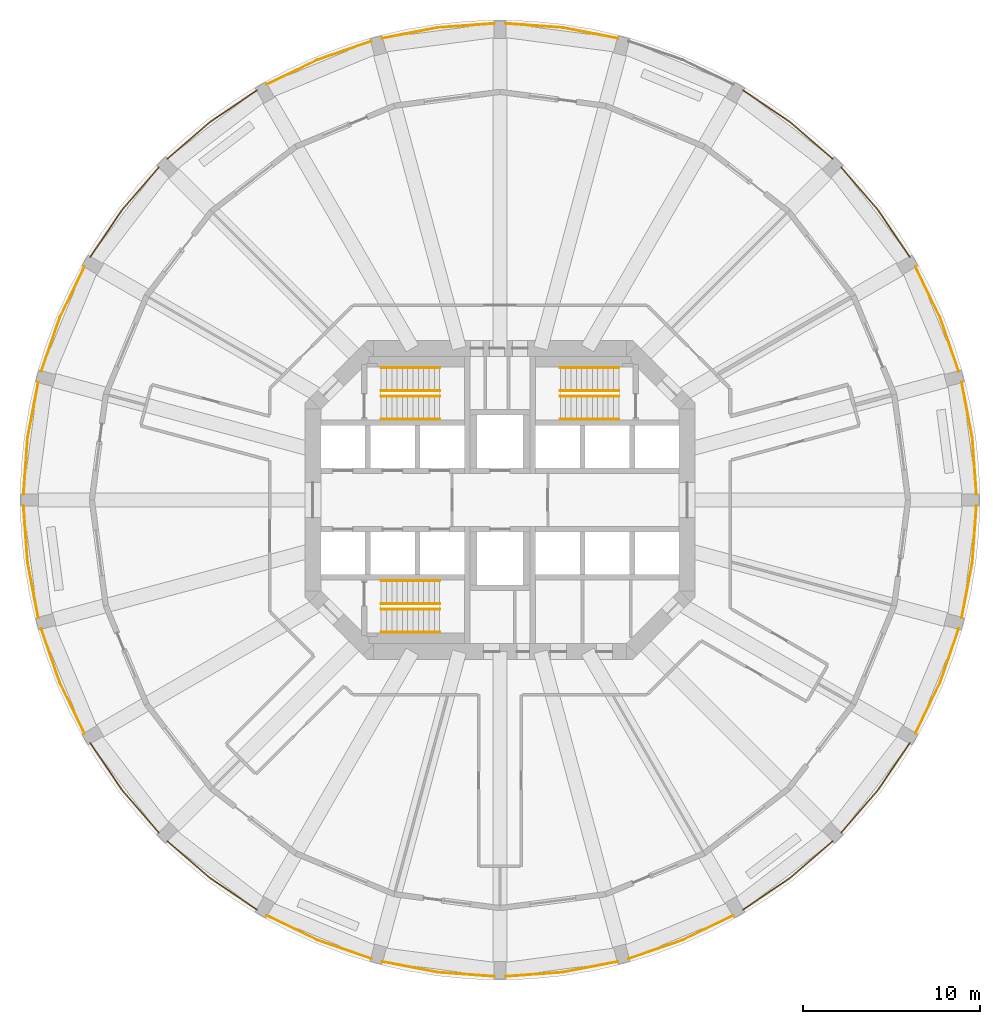
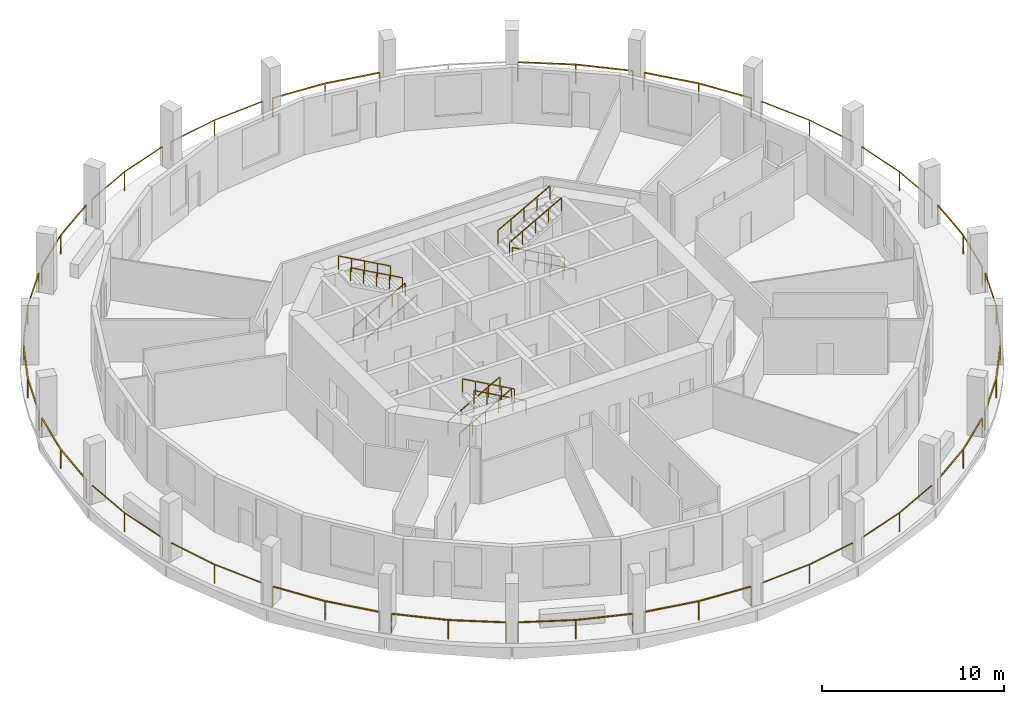
# One storey, part 8 of 9: 35 railings.
"""IFC4 building model written with IfcOpenShell, lengths in metres."""

import ifcopenshell
import ifcopenshell.guid

model = None  # the IFC model being written
_history = None  # IfcOwnerHistory: only IFC2X3 demands one
_inside = {}  # id of a spatial element -> (the spatial element, [elements in it])
_under = {}  # id of a project, library or spatial element -> (it, [spatial elements below it])
_declared = {}  # id of a project -> (the project, [libraries it declares])
_typed = {}  # id of a type object -> (the type object, [elements of that type])
_made_of = {}  # id of a material, layer set ... -> (it, [elements and type objects made of it])


def new_model(schema):
    """Start an empty IFC model of exactly this schema.

    Asked for "IFC4X3", IfcOpenShell would pick the latest addendum, in which some entities
    have other attributes; the version numbers below select the first issue.
    IFC2X3 requires an IfcOwnerHistory on every rooted entity: one is made here for all.
    """
    global model, _history
    if schema == "IFC4X3":
        model = ifcopenshell.file(schema_version=(4, 3, 0, 0))
    else:
        model = ifcopenshell.file(schema=schema)
    _inside.clear()
    _under.clear()
    _declared.clear()
    _typed.clear()
    _made_of.clear()
    _history = None
    if model.schema == "IFC2X3":
        org = make("IfcOrganization", Name="unknown")
        user = make(
            "IfcPersonAndOrganization",
            ThePerson=make("IfcPerson", FamilyName="unknown"),
            TheOrganization=org,
        )
        app = make(
            "IfcApplication",
            ApplicationDeveloper=org,
            Version="unknown",
            ApplicationFullName="unknown",
            ApplicationIdentifier="unknown",
        )
        _history = make(
            "IfcOwnerHistory",
            OwningUser=user,
            OwningApplication=app,
            ChangeAction="ADDED",
            CreationDate=0,
        )
    return model


def make(cls, **values):
    """One entity of the class cls with the attributes given. An attribute that is None is left unset."""
    return model.create_entity(
        cls, **{name: value for name, value in values.items() if value is not None}
    )


def rooted(cls, **values):
    """An entity with a GlobalId (a new one), such as an element, a storey or a relation."""
    return make(cls, GlobalId=ifcopenshell.guid.new(), OwnerHistory=_history, **values)


def si_unit(unit_type, name, prefix=None):
    """IfcSIUnit, for example si_unit("LENGTHUNIT", "METRE", prefix="MILLI")."""
    return make("IfcSIUnit", UnitType=unit_type, Prefix=prefix, Name=name)


def assignment(units):
    """IfcUnitAssignment: the units of a project."""
    return None if units is None else make("IfcUnitAssignment", Units=units)


def point(xyz):
    """IfcCartesianPoint."""
    return None if xyz is None else make("IfcCartesianPoint", Coordinates=xyz)


def direction(xyz):
    """IfcDirection."""
    return None if xyz is None else make("IfcDirection", DirectionRatios=xyz)


def frame(location, z_axis=None, x_axis=None):
    """IfcAxis2Placement3D, a coordinate frame: its origin and axes. An axis left out is left unset."""
    return make(
        "IfcAxis2Placement3D",
        Location=point(location),
        Axis=direction(z_axis),
        RefDirection=direction(x_axis),
    )


def frame_2d(location, x_axis=None):
    """IfcAxis2Placement2D, a coordinate frame in the plane: its origin and x axis."""
    return make(
        "IfcAxis2Placement2D", Location=point(location), RefDirection=direction(x_axis)
    )


def origin():
    """The frame at (0, 0, 0) with its axes left unset."""
    return frame((0.0, 0.0, 0.0))


def origin_2d():
    """The frame at (0, 0) in the plane with its x axis left unset."""
    return frame_2d((0.0, 0.0))


def place(relative_to, where):
    """IfcLocalPlacement: puts the frame where relative to a parent placement (None: the world)."""
    return make(
        "IfcLocalPlacement", PlacementRelTo=relative_to, RelativePlacement=where
    )


def context(
    kind, dimensions, precision=None, world=None, true_north=None, identifier=None
):
    """IfcGeometricRepresentationContext, for example the 3D "Model" context."""
    return make(
        "IfcGeometricRepresentationContext",
        ContextIdentifier=identifier,
        ContextType=kind,
        CoordinateSpaceDimension=dimensions,
        Precision=precision,
        WorldCoordinateSystem=world,
        TrueNorth=true_north,
    )


def subcontext(parent, identifier, kind, view, scale=None):
    """IfcGeometricRepresentationSubContext, for example "Body" below "Model"."""
    return make(
        "IfcGeometricRepresentationSubContext",
        ContextIdentifier=identifier,
        ContextType=kind,
        ParentContext=parent,
        TargetScale=scale,
        TargetView=view,
    )


def project(units=None, contexts=None):
    """IfcProject with its units and contexts."""
    return rooted(
        "IfcProject",
        Name="project",
        RepresentationContexts=contexts,
        UnitsInContext=assignment(units),
    )


def spatial(cls, under=None, at=None, **own):
    """A site, building, storey or space (cls), placed at a placement, below another one or the project."""
    s = rooted(cls, ObjectPlacement=at, **own)
    if under is not None:
        _under.setdefault(under.id(), (under, []))[1].append(s)
    return s


def profile(cls, at=None, kind="AREA", **sizes):
    """A parametric profile (cls). Its sizes go by their IFC names, for example OverallWidth=200.0."""
    return make(cls, ProfileType=kind, Position=at, **sizes)


def rectangle(**sizes):
    """IfcRectangleProfileDef."""
    return profile("IfcRectangleProfileDef", **sizes)


def extrude(swept, where, along, depth):
    """IfcExtrudedAreaSolid: the profile swept, set in the frame where, extruded along a direction by depth."""
    return make(
        "IfcExtrudedAreaSolid",
        SweptArea=swept,
        Position=where,
        ExtrudedDirection=direction(along),
        Depth=depth,
    )


def shape(context_of_items, identifier, shape_type, items):
    """IfcShapeRepresentation: the items that make up one representation, for example the "Body"."""
    return make(
        "IfcShapeRepresentation",
        ContextOfItems=context_of_items,
        RepresentationIdentifier=identifier,
        RepresentationType=shape_type,
        Items=items,
    )


def material(Name=None, Category=None):
    """IfcMaterial."""
    return make("IfcMaterial", Name=Name, Category=Category)


def made_of(thing, what):
    """Note that an element or type object is made of a material, layer set ...; save() writes the relation."""
    if what is not None:
        _made_of.setdefault(what.id(), (what, []))[1].append(thing)
    return thing


def type_object(cls, material=None, **own):
    """A type object (cls), such as IfcWallType, which elements share."""
    return made_of(rooted(cls, **own), material)


def element(
    cls,
    number,
    at=None,
    inside=None,
    cuts=None,
    type_object=None,
    material=None,
    context=None,
    identifier="Body",
    shape_type=None,
    held_by="IfcProductDefinitionShape",
    body=None,
    shapes=None,
    **own,
):
    """One element of the class cls, such as IfcWall. Its Tag is "e" and its number.

    at: its placement. inside: the storey or other place that contains it. cuts: it is an
    opening in that element (IfcRelVoidsElement). A single representation is given by context,
    identifier, shape_type and body (its items); several are given by shapes. held_by: the class
    of the entity that holds the representations. save() writes the other relations.
    """
    e = rooted(cls, Tag="e%d" % number, ObjectPlacement=at, **own)
    if body is not None:
        shapes = [shape(context, identifier, shape_type, body)]
    if shapes is not None:
        e.Representation = make(held_by, Representations=shapes)
    if inside is not None:
        _inside.setdefault(inside.id(), (inside, []))[1].append(e)
    if cuts is not None:
        rooted(
            "IfcRelVoidsElement", RelatingBuildingElement=cuts, RelatedOpeningElement=e
        )
    if type_object is not None:
        _typed.setdefault(type_object.id(), (type_object, []))[1].append(e)
    return made_of(e, material)


def aggregate(whole, parts):
    """IfcRelAggregates: a whole, such as a stair, and the parts it consists of."""
    return rooted("IfcRelAggregates", RelatingObject=whole, RelatedObjects=parts)


def save(model, path):
    """Write the relations noted so far, then the file.

    IfcRelAggregates (storeys below a building ...), IfcRelContainedInSpatialStructure (elements
    in a storey), IfcRelDefinesByType, IfcRelAssociatesMaterial and IfcRelDeclares: one each for
    every whole, place, type object, material and project.
    """
    for whole, parts in _under.values():
        aggregate(whole, parts)
    for where, things in _inside.values():
        rooted(
            "IfcRelContainedInSpatialStructure",
            RelatedElements=things,
            RelatingStructure=where,
        )
    for kind, things in _typed.values():
        rooted("IfcRelDefinesByType", RelatedObjects=things, RelatingType=kind)
    for what, things in _made_of.values():
        rooted("IfcRelAssociatesMaterial", RelatedObjects=things, RelatingMaterial=what)
    for by, libraries in _declared.values():
        rooted("IfcRelDeclares", RelatingContext=by, RelatedDefinitions=libraries)
    model.write(path)


model = new_model("IFC4")

# Units and contexts
model_context = context("Model", 3, precision=1e-05, world=origin(), true_north=direction((0.0, 1.0)))
body_context = subcontext(model_context, "Body", "Model", "MODEL_VIEW")
ifc_project = project(units=[si_unit("LENGTHUNIT", "METRE"), si_unit("AREAUNIT", "SQUARE_METRE"), si_unit("VOLUMEUNIT", "CUBIC_METRE"), si_unit("PLANEANGLEUNIT", "RADIAN"), si_unit("MASSUNIT", "GRAM", prefix="KILO")], contexts=[model_context])

# Site, building, storey
site_placement = place(None, origin())
site = spatial("IfcSite", under=ifc_project, at=site_placement, CompositionType="ELEMENT")
building_placement = place(site_placement, origin())
building = spatial("IfcBuilding", under=site, at=building_placement, Name="Torre Triforio", CompositionType="ELEMENT")
storey_placement = place(building_placement, frame((0.0, 0.0, 43.0)))
storey = spatial("IfcBuildingStorey", under=building, at=storey_placement, Name="L08", CompositionType="ELEMENT", Elevation=43.0)

# Railings
ifc_material = material(Name="Stainless steel AISI 316", Category="steel")
railing_type_1 = type_object("IfcRailingType", Name="HANDRAIL 920", PredefinedType="HANDRAIL", material=ifc_material)
for number, where, name in (
    (1, (-6.699951171875, 4.550048828125, 0.166748046875), "Handrail ST1"),
    (2, (-6.699951171875, 5.85009765625, 0.166748046875), "Handrail ST1"),
):
    element("IfcRailing", number, at=place(storey_placement, frame(where)), inside=storey, type_object=railing_type_1, Name=name, PredefinedType="HANDRAIL", context=body_context, shape_type="SweptSolid", body=[
        extrude(rectangle(XDim=0.048095703125, YDim=0.048095703125, at=origin_2d()), frame((0.0, 0.0, 0.89599609375), z_axis=(0.874169478083, 0.0, 0.485620966999), x_axis=(0.0, 1.0, 0.0)), (0.0, 0.0, 1.0), 3.775146484375),
        extrude(rectangle(XDim=0.0419921875, YDim=0.0419921875, at=origin_2d()), origin(), (0.0, 0.0, 1.0), 0.871826171875),
        extrude(rectangle(XDim=0.0419921875, YDim=0.0419921875, at=origin_2d()), frame((0.824951171875, 0.0, 0.458251953125)), (0.0, 0.0, 1.0), 0.871826171875),
        extrude(rectangle(XDim=0.0419921875, YDim=0.0419921875, at=origin_2d()), frame((1.64990234375, 0.0, 0.91650390625)), (0.0, 0.0, 1.0), 0.871826171875),
        extrude(rectangle(XDim=0.0419921875, YDim=0.0419921875, at=origin_2d()), frame((2.47509765625, 0.0, 1.375)), (0.0, 0.0, 1.0), 0.871826171875),
        extrude(rectangle(XDim=0.0419921875, YDim=0.0419921875, at=origin_2d()), frame((3.300048828125, 0.0, 1.833251953125)), (0.0, 0.0, 1.0), 0.871826171875),
    ])
for number, where, name in (
    (3, (-3.39990234375, 7.449951171875, 2.166748046875), "Handrail ST1"),
    (4, (-3.39990234375, 6.14990234375, 2.166748046875), "Handrail ST1"),
    (5, (6.699951171875, 4.550048828125, 0.166748046875), "Handrail ST2"),
    (6, (6.699951171875, 5.85009765625, 0.166748046875), "Handrail ST2"),
):
    element("IfcRailing", number, at=place(storey_placement, frame(where)), inside=storey, type_object=railing_type_1, Name=name, PredefinedType="HANDRAIL", context=body_context, shape_type="SweptSolid", body=[
        extrude(rectangle(XDim=0.048095703125, YDim=0.048095703125, at=origin_2d()), frame((0.0, 0.0, 0.89599609375), z_axis=(-0.874169478083, 0.0, 0.485620966999), x_axis=(0.0, -1.0, 0.0)), (0.0, 0.0, 1.0), 3.775146484375),
        extrude(rectangle(XDim=0.0419921875, YDim=0.0419921875, at=origin_2d()), origin(), (0.0, 0.0, 1.0), 0.871826171875),
        extrude(rectangle(XDim=0.0419921875, YDim=0.0419921875, at=origin_2d()), frame((-0.824951171875, 0.0, 0.458251953125)), (0.0, 0.0, 1.0), 0.871826171875),
        extrude(rectangle(XDim=0.0419921875, YDim=0.0419921875, at=origin_2d()), frame((-1.64990234375, 0.0, 0.91650390625)), (0.0, 0.0, 1.0), 0.871826171875),
        extrude(rectangle(XDim=0.0419921875, YDim=0.0419921875, at=origin_2d()), frame((-2.47509765625, 0.0, 1.375)), (0.0, 0.0, 1.0), 0.871826171875),
        extrude(rectangle(XDim=0.0419921875, YDim=0.0419921875, at=origin_2d()), frame((-3.300048828125, 0.0, 1.833251953125)), (0.0, 0.0, 1.0), 0.871826171875),
    ])
for number, where, name in (
    (7, (3.39990234375, 7.449951171875, 2.166748046875), "Handrail ST2"),
    (8, (3.39990234375, 6.14990234375, 2.166748046875), "Handrail ST2"),
    (9, (-6.699951171875, -4.550048828125, 0.166748046875), "Handrail ST3"),
    (10, (-6.699951171875, -5.85009765625, 0.166748046875), "Handrail ST3"),
):
    element("IfcRailing", number, at=place(storey_placement, frame(where)), inside=storey, type_object=railing_type_1, Name=name, PredefinedType="HANDRAIL", context=body_context, shape_type="SweptSolid", body=[
        extrude(rectangle(XDim=0.048095703125, YDim=0.048095703125, at=origin_2d()), frame((0.0, 0.0, 0.89599609375), z_axis=(0.874169478083, 0.0, 0.485620966999), x_axis=(0.0, 1.0, 0.0)), (0.0, 0.0, 1.0), 3.775146484375),
        extrude(rectangle(XDim=0.0419921875, YDim=0.0419921875, at=origin_2d()), origin(), (0.0, 0.0, 1.0), 0.871826171875),
        extrude(rectangle(XDim=0.0419921875, YDim=0.0419921875, at=origin_2d()), frame((0.824951171875, 0.0, 0.458251953125)), (0.0, 0.0, 1.0), 0.871826171875),
        extrude(rectangle(XDim=0.0419921875, YDim=0.0419921875, at=origin_2d()), frame((1.64990234375, 0.0, 0.91650390625)), (0.0, 0.0, 1.0), 0.871826171875),
        extrude(rectangle(XDim=0.0419921875, YDim=0.0419921875, at=origin_2d()), frame((2.47509765625, 0.0, 1.375)), (0.0, 0.0, 1.0), 0.871826171875),
        extrude(rectangle(XDim=0.0419921875, YDim=0.0419921875, at=origin_2d()), frame((3.300048828125, 0.0, 1.833251953125)), (0.0, 0.0, 1.0), 0.871826171875),
    ])
for number, where, name in (
    (11, (-3.39990234375, -7.449951171875, 2.166748046875), "Handrail ST3"),
    (12, (-3.39990234375, -6.14990234375, 2.166748046875), "Handrail ST3"),
):
    element("IfcRailing", number, at=place(storey_placement, frame(where)), inside=storey, type_object=railing_type_1, Name=name, PredefinedType="HANDRAIL", context=body_context, shape_type="SweptSolid", body=[
        extrude(rectangle(XDim=0.048095703125, YDim=0.048095703125, at=origin_2d()), frame((0.0, 0.0, 0.89599609375), z_axis=(-0.874169478083, 0.0, 0.485620966999), x_axis=(0.0, -1.0, 0.0)), (0.0, 0.0, 1.0), 3.775146484375),
        extrude(rectangle(XDim=0.0419921875, YDim=0.0419921875, at=origin_2d()), origin(), (0.0, 0.0, 1.0), 0.871826171875),
        extrude(rectangle(XDim=0.0419921875, YDim=0.0419921875, at=origin_2d()), frame((-0.824951171875, 0.0, 0.458251953125)), (0.0, 0.0, 1.0), 0.871826171875),
        extrude(rectangle(XDim=0.0419921875, YDim=0.0419921875, at=origin_2d()), frame((-1.64990234375, 0.0, 0.91650390625)), (0.0, 0.0, 1.0), 0.871826171875),
        extrude(rectangle(XDim=0.0419921875, YDim=0.0419921875, at=origin_2d()), frame((-2.47509765625, 0.0, 1.375)), (0.0, 0.0, 1.0), 0.871826171875),
        extrude(rectangle(XDim=0.0419921875, YDim=0.0419921875, at=origin_2d()), frame((-3.300048828125, 0.0, 1.833251953125)), (0.0, 0.0, 1.0), 0.871826171875),
    ])
railing_type_2 = type_object("IfcRailingType", Name="Loggia guard 1300", PredefinedType="GUARDRAIL", material=ifc_material)
railing_1_placement = place(storey_placement, frame((26.85009765625, 0.320068359375, 0.0)))
element("IfcRailing", 13, at=railing_1_placement, inside=storey, type_object=railing_type_2, Name="Loggia guard L08 bay 01", PredefinedType="GUARDRAIL", context=body_context, shape_type="SweptSolid", body=[
    extrude(rectangle(XDim=0.050048828125, YDim=0.050048828125, at=origin_2d()), frame((0.0, 0.0, 1.27490234375), z_axis=(-0.071953458998, 0.997407990613, 0.0), x_axis=(-0.997407990613, -0.071953458998, 0.0)), (0.0, 0.0, 1.0), 3.19287109375),
    extrude(rectangle(XDim=0.050048828125, YDim=0.050048828125, at=origin_2d()), frame((-0.229736328125, 3.1845703125, 1.27490234375), z_axis=(-0.188714097365, 0.982032071501, 0.0), x_axis=(-0.982032071501, -0.188714097365, 0.0)), (0.0, 0.0, 1.0), 3.19287109375),
    extrude(rectangle(XDim=0.0400390625, YDim=0.0400390625, at=origin_2d()), origin(), (0.0, 0.0, 1.0), 1.25),
    extrude(rectangle(XDim=0.0400390625, YDim=0.0400390625, at=origin_2d()), frame((-0.229736328125, 3.1845703125, 0.0)), (0.0, 0.0, 1.0), 1.25),
    extrude(rectangle(XDim=0.0400390625, YDim=0.0400390625, at=origin_2d()), frame((-0.832275390625, 6.320068359375, 0.0)), (0.0, 0.0, 1.0), 1.25),
])
railing_2_placement = place(storey_placement, frame((25.852294921875, 7.25830078125, 0.0)))
element("IfcRailing", 14, at=railing_2_placement, inside=storey, type_object=railing_type_2, Name="Loggia guard L08 bay 02", PredefinedType="GUARDRAIL", context=body_context, shape_type="SweptSolid", body=[
    extrude(rectangle(XDim=0.050048828125, YDim=0.050048828125, at=origin_2d()), frame((0.0, 0.0, 1.27490234375), z_axis=(-0.327627852034, 0.94480685358, 0.0), x_axis=(-0.94480685358, -0.327627852034, 0.0)), (0.0, 0.0, 1.0), 3.193115234375),
    extrude(rectangle(XDim=0.050048828125, YDim=0.050048828125, at=origin_2d()), frame((-1.046142578125, 3.016845703125, 1.27490234375), z_axis=(-0.436384192305, 0.899760432952, 0.0), x_axis=(-0.899760432952, -0.436384192305, 0.0)), (0.0, 0.0, 1.0), 3.19287109375),
    extrude(rectangle(XDim=0.0400390625, YDim=0.0400390625, at=origin_2d()), origin(), (0.0, 0.0, 1.0), 1.25),
    extrude(rectangle(XDim=0.0400390625, YDim=0.0400390625, at=origin_2d()), frame((-1.046142578125, 3.016845703125, 0.0)), (0.0, 0.0, 1.0), 1.25),
    extrude(rectangle(XDim=0.0400390625, YDim=0.0400390625, at=origin_2d()), frame((-2.439453125, 5.8896484375, 0.0)), (0.0, 0.0, 1.0), 1.25),
])
railing_3_placement = place(storey_placement, frame((23.0927734375, 13.7021484375, 0.0)))
element("IfcRailing", 15, at=railing_3_placement, inside=storey, type_object=railing_type_2, Name="Loggia guard L08 bay 03", PredefinedType="GUARDRAIL", context=body_context, shape_type="SweptSolid", body=[
    extrude(rectangle(XDim=0.050048828125, YDim=0.050048828125, at=origin_2d()), frame((0.0, 0.0, 1.27490234375), z_axis=(-0.561018896338, 0.82780299465, 0.0), x_axis=(-0.82780299465, -0.561018896338, 0.0)), (0.0, 0.0, 1.0), 3.19287109375),
    extrude(rectangle(XDim=0.050048828125, YDim=0.050048828125, at=origin_2d()), frame((-1.791259765625, 2.64306640625, 1.27490234375), z_axis=(-0.654385993255, 0.756160678581, 0.0), x_axis=(-0.756160678581, -0.654385993255, 0.0)), (0.0, 0.0, 1.0), 3.19287109375),
    extrude(rectangle(XDim=0.0400390625, YDim=0.0400390625, at=origin_2d()), origin(), (0.0, 0.0, 1.0), 1.25),
    extrude(rectangle(XDim=0.0400390625, YDim=0.0400390625, at=origin_2d()), frame((-1.791259765625, 2.64306640625, 0.0)), (0.0, 0.0, 1.0), 1.25),
    extrude(rectangle(XDim=0.0400390625, YDim=0.0400390625, at=origin_2d()), frame((-3.880615234375, 5.057373046875, 0.0)), (0.0, 0.0, 1.0), 1.25),
])
railing_4_placement = place(storey_placement, frame((18.759521484375, 19.212158203125, 0.0)))
element("IfcRailing", 16, at=railing_4_placement, inside=storey, type_object=railing_type_2, Name="Loggia guard L08 bay 04", PredefinedType="GUARDRAIL", context=body_context, shape_type="SweptSolid", body=[
    extrude(rectangle(XDim=0.050048828125, YDim=0.050048828125, at=origin_2d()), frame((0.0, 0.0, 1.27490234375), z_axis=(-0.756160678581, 0.654385993255, 0.0), x_axis=(-0.654385993255, -0.756160678581, 0.0)), (0.0, 0.0, 1.0), 3.19287109375),
    extrude(rectangle(XDim=0.050048828125, YDim=0.050048828125, at=origin_2d()), frame((-2.414306640625, 2.08935546875, 1.27490234375), z_axis=(-0.82780299465, 0.561018896338, 0.0), x_axis=(-0.561018896338, -0.82780299465, 0.0)), (0.0, 0.0, 1.0), 3.19287109375),
    extrude(rectangle(XDim=0.0400390625, YDim=0.0400390625, at=origin_2d()), origin(), (0.0, 0.0, 1.0), 1.25),
    extrude(rectangle(XDim=0.0400390625, YDim=0.0400390625, at=origin_2d()), frame((-2.414306640625, 2.08935546875, 0.0)), (0.0, 0.0, 1.0), 1.25),
    extrude(rectangle(XDim=0.0400390625, YDim=0.0400390625, at=origin_2d()), frame((-5.057373046875, 3.880615234375, 0.0)), (0.0, 0.0, 1.0), 1.25),
])
railing_5_placement = place(storey_placement, frame((6.64013671875, 26.017822265625, 0.0)))
element("IfcRailing", 17, at=railing_5_placement, inside=storey, type_object=railing_type_2, Name="Loggia guard L08 bay 06", PredefinedType="GUARDRAIL", context=body_context, shape_type="SweptSolid", body=[
    extrude(rectangle(XDim=0.050048828125, YDim=0.050048828125, at=origin_2d()), frame((0.0, 0.0, 1.27490234375), z_axis=(-0.982032071501, 0.188714097365, 0.0), x_axis=(-0.188714097365, -0.982032071501, 0.0)), (0.0, 0.0, 1.0), 3.19287109375),
    extrude(rectangle(XDim=0.050048828125, YDim=0.050048828125, at=origin_2d()), frame((-3.135498046875, 0.6025390625, 1.27490234375), z_axis=(-0.997407990613, 0.071953458998, 0.0), x_axis=(-0.071953458998, -0.997407990613, 0.0)), (0.0, 0.0, 1.0), 3.19287109375),
    extrude(rectangle(XDim=0.0400390625, YDim=0.0400390625, at=origin_2d()), origin(), (0.0, 0.0, 1.0), 1.25),
    extrude(rectangle(XDim=0.0400390625, YDim=0.0400390625, at=origin_2d()), frame((-3.135498046875, 0.6025390625, 0.0)), (0.0, 0.0, 1.0), 1.25),
    extrude(rectangle(XDim=0.0400390625, YDim=0.0400390625, at=origin_2d()), frame((-6.320068359375, 0.832275390625, 0.0)), (0.0, 0.0, 1.0), 1.25),
])
railing_6_placement = place(storey_placement, frame((-0.320068359375, 26.85009765625, 0.0)))
element("IfcRailing", 18, at=railing_6_placement, inside=storey, type_object=railing_type_2, Name="Loggia guard L08 bay 07", PredefinedType="GUARDRAIL", context=body_context, shape_type="SweptSolid", body=[
    extrude(rectangle(XDim=0.050048828125, YDim=0.050048828125, at=origin_2d()), frame((0.0, 0.0, 1.27490234375), z_axis=(-0.997407990613, -0.071953458998, 0.0), x_axis=(0.071953458998, -0.997407990613, 0.0)), (0.0, 0.0, 1.0), 3.19287109375),
    extrude(rectangle(XDim=0.050048828125, YDim=0.050048828125, at=origin_2d()), frame((-3.1845703125, -0.229736328125, 1.27490234375), z_axis=(-0.982032071501, -0.188714097365, 0.0), x_axis=(0.188714097365, -0.982032071501, 0.0)), (0.0, 0.0, 1.0), 3.19287109375),
    extrude(rectangle(XDim=0.0400390625, YDim=0.0400390625, at=origin_2d()), origin(), (0.0, 0.0, 1.0), 1.25),
    extrude(rectangle(XDim=0.0400390625, YDim=0.0400390625, at=origin_2d()), frame((-3.1845703125, -0.229736328125, 0.0)), (0.0, 0.0, 1.0), 1.25),
    extrude(rectangle(XDim=0.0400390625, YDim=0.0400390625, at=origin_2d()), frame((-6.320068359375, -0.832275390625, 0.0)), (0.0, 0.0, 1.0), 1.25),
])
railing_7_placement = place(storey_placement, frame((-7.25830078125, 25.852294921875, 0.0)))
element("IfcRailing", 19, at=railing_7_placement, inside=storey, type_object=railing_type_2, Name="Loggia guard L08 bay 08", PredefinedType="GUARDRAIL", context=body_context, shape_type="SweptSolid", body=[
    extrude(rectangle(XDim=0.050048828125, YDim=0.050048828125, at=origin_2d()), frame((0.0, 0.0, 1.27490234375), z_axis=(-0.94480685358, -0.327627852034, 0.0), x_axis=(0.327627852034, -0.94480685358, 0.0)), (0.0, 0.0, 1.0), 3.193115234375),
    extrude(rectangle(XDim=0.050048828125, YDim=0.050048828125, at=origin_2d()), frame((-3.016845703125, -1.046142578125, 1.27490234375), z_axis=(-0.899760432952, -0.436384192305, 0.0), x_axis=(0.436384192305, -0.899760432952, 0.0)), (0.0, 0.0, 1.0), 3.19287109375),
    extrude(rectangle(XDim=0.0400390625, YDim=0.0400390625, at=origin_2d()), origin(), (0.0, 0.0, 1.0), 1.25),
    extrude(rectangle(XDim=0.0400390625, YDim=0.0400390625, at=origin_2d()), frame((-3.016845703125, -1.046142578125, 0.0)), (0.0, 0.0, 1.0), 1.25),
    extrude(rectangle(XDim=0.0400390625, YDim=0.0400390625, at=origin_2d()), frame((-5.8896484375, -2.439453125, 0.0)), (0.0, 0.0, 1.0), 1.25),
])
railing_8_placement = place(storey_placement, frame((-13.7021484375, 23.0927734375, 0.0)))
element("IfcRailing", 20, at=railing_8_placement, inside=storey, type_object=railing_type_2, Name="Loggia guard L08 bay 09", PredefinedType="GUARDRAIL", context=body_context, shape_type="SweptSolid", body=[
    extrude(rectangle(XDim=0.050048828125, YDim=0.050048828125, at=origin_2d()), frame((0.0, 0.0, 1.27490234375), z_axis=(-0.82780299465, -0.561018896338, 0.0), x_axis=(0.561018896338, -0.82780299465, 0.0)), (0.0, 0.0, 1.0), 3.19287109375),
    extrude(rectangle(XDim=0.050048828125, YDim=0.050048828125, at=origin_2d()), frame((-2.64306640625, -1.791259765625, 1.27490234375), z_axis=(-0.756160678581, -0.654385993255, 0.0), x_axis=(0.654385993255, -0.756160678581, 0.0)), (0.0, 0.0, 1.0), 3.19287109375),
    extrude(rectangle(XDim=0.0400390625, YDim=0.0400390625, at=origin_2d()), origin(), (0.0, 0.0, 1.0), 1.25),
    extrude(rectangle(XDim=0.0400390625, YDim=0.0400390625, at=origin_2d()), frame((-2.64306640625, -1.791259765625, 0.0)), (0.0, 0.0, 1.0), 1.25),
    extrude(rectangle(XDim=0.0400390625, YDim=0.0400390625, at=origin_2d()), frame((-5.057373046875, -3.880615234375, 0.0)), (0.0, 0.0, 1.0), 1.25),
])
railing_9_placement = place(storey_placement, frame((-19.212158203125, 18.759521484375, 0.0)))
element("IfcRailing", 21, at=railing_9_placement, inside=storey, type_object=railing_type_2, Name="Loggia guard L08 bay 10", PredefinedType="GUARDRAIL", context=body_context, shape_type="SweptSolid", body=[
    extrude(rectangle(XDim=0.050048828125, YDim=0.050048828125, at=origin_2d()), frame((0.0, 0.0, 1.27490234375), z_axis=(-0.654385993255, -0.756160678581, 0.0), x_axis=(0.756160678581, -0.654385993255, 0.0)), (0.0, 0.0, 1.0), 3.19287109375),
    extrude(rectangle(XDim=0.050048828125, YDim=0.050048828125, at=origin_2d()), frame((-2.08935546875, -2.414306640625, 1.27490234375), z_axis=(-0.561018896338, -0.82780299465, 0.0), x_axis=(0.82780299465, -0.561018896338, 0.0)), (0.0, 0.0, 1.0), 3.19287109375),
    extrude(rectangle(XDim=0.0400390625, YDim=0.0400390625, at=origin_2d()), origin(), (0.0, 0.0, 1.0), 1.25),
    extrude(rectangle(XDim=0.0400390625, YDim=0.0400390625, at=origin_2d()), frame((-2.08935546875, -2.414306640625, 0.0)), (0.0, 0.0, 1.0), 1.25),
    extrude(rectangle(XDim=0.0400390625, YDim=0.0400390625, at=origin_2d()), frame((-3.880615234375, -5.057373046875, 0.0)), (0.0, 0.0, 1.0), 1.25),
])
railing_10_placement = place(storey_placement, frame((-23.412841796875, 13.14794921875, 0.0)))
element("IfcRailing", 22, at=railing_10_placement, inside=storey, type_object=railing_type_2, Name="Loggia guard L08 bay 11", PredefinedType="GUARDRAIL", context=body_context, shape_type="SweptSolid", body=[
    extrude(rectangle(XDim=0.050048828125, YDim=0.050048828125, at=origin_2d()), frame((0.0, 0.0, 1.27490234375), z_axis=(-0.436384192305, -0.899760432952, 0.0), x_axis=(0.899760432952, -0.436384192305, 0.0)), (0.0, 0.0, 1.0), 3.19287109375),
    extrude(rectangle(XDim=0.050048828125, YDim=0.050048828125, at=origin_2d()), frame((-1.393310546875, -2.872802734375, 1.27490234375), z_axis=(-0.327627852034, -0.94480685358, 0.0), x_axis=(0.94480685358, -0.327627852034, 0.0)), (0.0, 0.0, 1.0), 3.193115234375),
    extrude(rectangle(XDim=0.0400390625, YDim=0.0400390625, at=origin_2d()), origin(), (0.0, 0.0, 1.0), 1.25),
    extrude(rectangle(XDim=0.0400390625, YDim=0.0400390625, at=origin_2d()), frame((-1.393310546875, -2.872802734375, 0.0)), (0.0, 0.0, 1.0), 1.25),
    extrude(rectangle(XDim=0.0400390625, YDim=0.0400390625, at=origin_2d()), frame((-2.439453125, -5.8896484375, 0.0)), (0.0, 0.0, 1.0), 1.25),
])
railing_11_placement = place(storey_placement, frame((-26.017822265625, 6.64013671875, 0.0)))
element("IfcRailing", 23, at=railing_11_placement, inside=storey, type_object=railing_type_2, Name="Loggia guard L08 bay 12", PredefinedType="GUARDRAIL", context=body_context, shape_type="SweptSolid", body=[
    extrude(rectangle(XDim=0.050048828125, YDim=0.050048828125, at=origin_2d()), frame((0.0, 0.0, 1.27490234375), z_axis=(-0.188714097365, -0.982032071501, 0.0), x_axis=(0.982032071501, -0.188714097365, 0.0)), (0.0, 0.0, 1.0), 3.19287109375),
    extrude(rectangle(XDim=0.050048828125, YDim=0.050048828125, at=origin_2d()), frame((-0.6025390625, -3.135498046875, 1.27490234375), z_axis=(-0.071953458998, -0.997407990613, 0.0), x_axis=(0.997407990613, -0.071953458998, 0.0)), (0.0, 0.0, 1.0), 3.19287109375),
    extrude(rectangle(XDim=0.0400390625, YDim=0.0400390625, at=origin_2d()), origin(), (0.0, 0.0, 1.0), 1.25),
    extrude(rectangle(XDim=0.0400390625, YDim=0.0400390625, at=origin_2d()), frame((-0.6025390625, -3.135498046875, 0.0)), (0.0, 0.0, 1.0), 1.25),
    extrude(rectangle(XDim=0.0400390625, YDim=0.0400390625, at=origin_2d()), frame((-0.832275390625, -6.320068359375, 0.0)), (0.0, 0.0, 1.0), 1.25),
])
railing_12_placement = place(storey_placement, frame((-26.85009765625, -0.320068359375, 0.0)))
element("IfcRailing", 24, at=railing_12_placement, inside=storey, type_object=railing_type_2, Name="Loggia guard L08 bay 13", PredefinedType="GUARDRAIL", context=body_context, shape_type="SweptSolid", body=[
    extrude(rectangle(XDim=0.050048828125, YDim=0.050048828125, at=origin_2d()), frame((0.0, 0.0, 1.27490234375), z_axis=(0.071953458998, -0.997407990613, 0.0), x_axis=(0.997407990613, 0.071953458998, 0.0)), (0.0, 0.0, 1.0), 3.19287109375),
    extrude(rectangle(XDim=0.050048828125, YDim=0.050048828125, at=origin_2d()), frame((0.229736328125, -3.1845703125, 1.27490234375), z_axis=(0.188714097365, -0.982032071501, 0.0), x_axis=(0.982032071501, 0.188714097365, 0.0)), (0.0, 0.0, 1.0), 3.19287109375),
    extrude(rectangle(XDim=0.0400390625, YDim=0.0400390625, at=origin_2d()), origin(), (0.0, 0.0, 1.0), 1.25),
    extrude(rectangle(XDim=0.0400390625, YDim=0.0400390625, at=origin_2d()), frame((0.229736328125, -3.1845703125, 0.0)), (0.0, 0.0, 1.0), 1.25),
    extrude(rectangle(XDim=0.0400390625, YDim=0.0400390625, at=origin_2d()), frame((0.832275390625, -6.320068359375, 0.0)), (0.0, 0.0, 1.0), 1.25),
])
railing_13_placement = place(storey_placement, frame((-25.852294921875, -7.25830078125, 0.0)))
element("IfcRailing", 25, at=railing_13_placement, inside=storey, type_object=railing_type_2, Name="Loggia guard L08 bay 14", PredefinedType="GUARDRAIL", context=body_context, shape_type="SweptSolid", body=[
    extrude(rectangle(XDim=0.050048828125, YDim=0.050048828125, at=origin_2d()), frame((0.0, 0.0, 1.27490234375), z_axis=(0.327627852034, -0.94480685358, 0.0), x_axis=(0.94480685358, 0.327627852034, 0.0)), (0.0, 0.0, 1.0), 3.193115234375),
    extrude(rectangle(XDim=0.050048828125, YDim=0.050048828125, at=origin_2d()), frame((1.046142578125, -3.016845703125, 1.27490234375), z_axis=(0.436384192305, -0.899760432952, 0.0), x_axis=(0.899760432952, 0.436384192305, 0.0)), (0.0, 0.0, 1.0), 3.19287109375),
    extrude(rectangle(XDim=0.0400390625, YDim=0.0400390625, at=origin_2d()), origin(), (0.0, 0.0, 1.0), 1.25),
    extrude(rectangle(XDim=0.0400390625, YDim=0.0400390625, at=origin_2d()), frame((1.046142578125, -3.016845703125, 0.0)), (0.0, 0.0, 1.0), 1.25),
    extrude(rectangle(XDim=0.0400390625, YDim=0.0400390625, at=origin_2d()), frame((2.439453125, -5.8896484375, 0.0)), (0.0, 0.0, 1.0), 1.25),
])
railing_14_placement = place(storey_placement, frame((-23.0927734375, -13.7021484375, 0.0)))
element("IfcRailing", 26, at=railing_14_placement, inside=storey, type_object=railing_type_2, Name="Loggia guard L08 bay 15", PredefinedType="GUARDRAIL", context=body_context, shape_type="SweptSolid", body=[
    extrude(rectangle(XDim=0.050048828125, YDim=0.050048828125, at=origin_2d()), frame((0.0, 0.0, 1.27490234375), z_axis=(0.561018896338, -0.82780299465, 0.0), x_axis=(0.82780299465, 0.561018896338, 0.0)), (0.0, 0.0, 1.0), 3.19287109375),
    extrude(rectangle(XDim=0.050048828125, YDim=0.050048828125, at=origin_2d()), frame((1.791259765625, -2.64306640625, 1.27490234375), z_axis=(0.654385993255, -0.756160678581, 0.0), x_axis=(0.756160678581, 0.654385993255, 0.0)), (0.0, 0.0, 1.0), 3.19287109375),
    extrude(rectangle(XDim=0.0400390625, YDim=0.0400390625, at=origin_2d()), origin(), (0.0, 0.0, 1.0), 1.25),
    extrude(rectangle(XDim=0.0400390625, YDim=0.0400390625, at=origin_2d()), frame((1.791259765625, -2.64306640625, 0.0)), (0.0, 0.0, 1.0), 1.25),
    extrude(rectangle(XDim=0.0400390625, YDim=0.0400390625, at=origin_2d()), frame((3.880615234375, -5.057373046875, 0.0)), (0.0, 0.0, 1.0), 1.25),
])
railing_15_placement = place(storey_placement, frame((-18.759521484375, -19.212158203125, 0.0)))
element("IfcRailing", 27, at=railing_15_placement, inside=storey, type_object=railing_type_2, Name="Loggia guard L08 bay 16", PredefinedType="GUARDRAIL", context=body_context, shape_type="SweptSolid", body=[
    extrude(rectangle(XDim=0.050048828125, YDim=0.050048828125, at=origin_2d()), frame((0.0, 0.0, 1.27490234375), z_axis=(0.756160678581, -0.654385993255, 0.0), x_axis=(0.654385993255, 0.756160678581, 0.0)), (0.0, 0.0, 1.0), 3.19287109375),
    extrude(rectangle(XDim=0.050048828125, YDim=0.050048828125, at=origin_2d()), frame((2.414306640625, -2.08935546875, 1.27490234375), z_axis=(0.82780299465, -0.561018896338, 0.0), x_axis=(0.561018896338, 0.82780299465, 0.0)), (0.0, 0.0, 1.0), 3.19287109375),
    extrude(rectangle(XDim=0.0400390625, YDim=0.0400390625, at=origin_2d()), origin(), (0.0, 0.0, 1.0), 1.25),
    extrude(rectangle(XDim=0.0400390625, YDim=0.0400390625, at=origin_2d()), frame((2.414306640625, -2.08935546875, 0.0)), (0.0, 0.0, 1.0), 1.25),
    extrude(rectangle(XDim=0.0400390625, YDim=0.0400390625, at=origin_2d()), frame((5.057373046875, -3.880615234375, 0.0)), (0.0, 0.0, 1.0), 1.25),
])
railing_16_placement = place(storey_placement, frame((-13.14794921875, -23.412841796875, 0.0)))
element("IfcRailing", 28, at=railing_16_placement, inside=storey, type_object=railing_type_2, Name="Loggia guard L08 bay 17", PredefinedType="GUARDRAIL", context=body_context, shape_type="SweptSolid", body=[
    extrude(rectangle(XDim=0.050048828125, YDim=0.050048828125, at=origin_2d()), frame((0.0, 0.0, 1.27490234375), z_axis=(0.899760432952, -0.436384192305, 0.0), x_axis=(0.436384192305, 0.899760432952, 0.0)), (0.0, 0.0, 1.0), 3.19287109375),
    extrude(rectangle(XDim=0.050048828125, YDim=0.050048828125, at=origin_2d()), frame((2.872802734375, -1.393310546875, 1.27490234375), z_axis=(0.94480685358, -0.327627852034, 0.0), x_axis=(0.327627852034, 0.94480685358, 0.0)), (0.0, 0.0, 1.0), 3.193115234375),
    extrude(rectangle(XDim=0.0400390625, YDim=0.0400390625, at=origin_2d()), origin(), (0.0, 0.0, 1.0), 1.25),
    extrude(rectangle(XDim=0.0400390625, YDim=0.0400390625, at=origin_2d()), frame((2.872802734375, -1.393310546875, 0.0)), (0.0, 0.0, 1.0), 1.25),
    extrude(rectangle(XDim=0.0400390625, YDim=0.0400390625, at=origin_2d()), frame((5.8896484375, -2.439453125, 0.0)), (0.0, 0.0, 1.0), 1.25),
])
railing_17_placement = place(storey_placement, frame((-6.64013671875, -26.017822265625, 0.0)))
element("IfcRailing", 29, at=railing_17_placement, inside=storey, type_object=railing_type_2, Name="Loggia guard L08 bay 18", PredefinedType="GUARDRAIL", context=body_context, shape_type="SweptSolid", body=[
    extrude(rectangle(XDim=0.050048828125, YDim=0.050048828125, at=origin_2d()), frame((0.0, 0.0, 1.27490234375), z_axis=(0.982032071501, -0.188714097365, 0.0), x_axis=(0.188714097365, 0.982032071501, 0.0)), (0.0, 0.0, 1.0), 3.19287109375),
    extrude(rectangle(XDim=0.050048828125, YDim=0.050048828125, at=origin_2d()), frame((3.135498046875, -0.6025390625, 1.27490234375), z_axis=(0.997407990613, -0.071953458998, 0.0), x_axis=(0.071953458998, 0.997407990613, 0.0)), (0.0, 0.0, 1.0), 3.19287109375),
    extrude(rectangle(XDim=0.0400390625, YDim=0.0400390625, at=origin_2d()), origin(), (0.0, 0.0, 1.0), 1.25),
    extrude(rectangle(XDim=0.0400390625, YDim=0.0400390625, at=origin_2d()), frame((3.135498046875, -0.6025390625, 0.0)), (0.0, 0.0, 1.0), 1.25),
    extrude(rectangle(XDim=0.0400390625, YDim=0.0400390625, at=origin_2d()), frame((6.320068359375, -0.832275390625, 0.0)), (0.0, 0.0, 1.0), 1.25),
])
railing_18_placement = place(storey_placement, frame((0.320068359375, -26.85009765625, 0.0)))
element("IfcRailing", 30, at=railing_18_placement, inside=storey, type_object=railing_type_2, Name="Loggia guard L08 bay 19", PredefinedType="GUARDRAIL", context=body_context, shape_type="SweptSolid", body=[
    extrude(rectangle(XDim=0.050048828125, YDim=0.050048828125, at=origin_2d()), frame((0.0, 0.0, 1.27490234375), z_axis=(0.997407990613, 0.071953458998, 0.0), x_axis=(-0.071953458998, 0.997407990613, 0.0)), (0.0, 0.0, 1.0), 3.19287109375),
    extrude(rectangle(XDim=0.050048828125, YDim=0.050048828125, at=origin_2d()), frame((3.1845703125, 0.229736328125, 1.27490234375), z_axis=(0.982032071501, 0.188714097365, 0.0), x_axis=(-0.188714097365, 0.982032071501, 0.0)), (0.0, 0.0, 1.0), 3.19287109375),
    extrude(rectangle(XDim=0.0400390625, YDim=0.0400390625, at=origin_2d()), origin(), (0.0, 0.0, 1.0), 1.25),
    extrude(rectangle(XDim=0.0400390625, YDim=0.0400390625, at=origin_2d()), frame((3.1845703125, 0.229736328125, 0.0)), (0.0, 0.0, 1.0), 1.25),
    extrude(rectangle(XDim=0.0400390625, YDim=0.0400390625, at=origin_2d()), frame((6.320068359375, 0.832275390625, 0.0)), (0.0, 0.0, 1.0), 1.25),
])
railing_19_placement = place(storey_placement, frame((7.25830078125, -25.852294921875, 0.0)))
element("IfcRailing", 31, at=railing_19_placement, inside=storey, type_object=railing_type_2, Name="Loggia guard L08 bay 20", PredefinedType="GUARDRAIL", context=body_context, shape_type="SweptSolid", body=[
    extrude(rectangle(XDim=0.050048828125, YDim=0.050048828125, at=origin_2d()), frame((0.0, 0.0, 1.27490234375), z_axis=(0.94480685358, 0.327627852034, 0.0), x_axis=(-0.327627852034, 0.94480685358, 0.0)), (0.0, 0.0, 1.0), 3.193115234375),
    extrude(rectangle(XDim=0.050048828125, YDim=0.050048828125, at=origin_2d()), frame((3.016845703125, 1.046142578125, 1.27490234375), z_axis=(0.899760432952, 0.436384192305, 0.0), x_axis=(-0.436384192305, 0.899760432952, 0.0)), (0.0, 0.0, 1.0), 3.19287109375),
    extrude(rectangle(XDim=0.0400390625, YDim=0.0400390625, at=origin_2d()), origin(), (0.0, 0.0, 1.0), 1.25),
    extrude(rectangle(XDim=0.0400390625, YDim=0.0400390625, at=origin_2d()), frame((3.016845703125, 1.046142578125, 0.0)), (0.0, 0.0, 1.0), 1.25),
    extrude(rectangle(XDim=0.0400390625, YDim=0.0400390625, at=origin_2d()), frame((5.8896484375, 2.439453125, 0.0)), (0.0, 0.0, 1.0), 1.25),
])
railing_20_placement = place(storey_placement, frame((13.7021484375, -23.0927734375, 0.0)))
element("IfcRailing", 32, at=railing_20_placement, inside=storey, type_object=railing_type_2, Name="Loggia guard L08 bay 21", PredefinedType="GUARDRAIL", context=body_context, shape_type="SweptSolid", body=[
    extrude(rectangle(XDim=0.050048828125, YDim=0.050048828125, at=origin_2d()), frame((0.0, 0.0, 1.27490234375), z_axis=(0.82780299465, 0.561018896338, 0.0), x_axis=(-0.561018896338, 0.82780299465, 0.0)), (0.0, 0.0, 1.0), 3.19287109375),
    extrude(rectangle(XDim=0.050048828125, YDim=0.050048828125, at=origin_2d()), frame((2.64306640625, 1.791259765625, 1.27490234375), z_axis=(0.756160678581, 0.654385993255, 0.0), x_axis=(-0.654385993255, 0.756160678581, 0.0)), (0.0, 0.0, 1.0), 3.19287109375),
    extrude(rectangle(XDim=0.0400390625, YDim=0.0400390625, at=origin_2d()), origin(), (0.0, 0.0, 1.0), 1.25),
    extrude(rectangle(XDim=0.0400390625, YDim=0.0400390625, at=origin_2d()), frame((2.64306640625, 1.791259765625, 0.0)), (0.0, 0.0, 1.0), 1.25),
    extrude(rectangle(XDim=0.0400390625, YDim=0.0400390625, at=origin_2d()), frame((5.057373046875, 3.880615234375, 0.0)), (0.0, 0.0, 1.0), 1.25),
])
railing_21_placement = place(storey_placement, frame((19.212158203125, -18.759521484375, 0.0)))
element("IfcRailing", 33, at=railing_21_placement, inside=storey, type_object=railing_type_2, Name="Loggia guard L08 bay 22", PredefinedType="GUARDRAIL", context=body_context, shape_type="SweptSolid", body=[
    extrude(rectangle(XDim=0.050048828125, YDim=0.050048828125, at=origin_2d()), frame((0.0, 0.0, 1.27490234375), z_axis=(0.654385993255, 0.756160678581, 0.0), x_axis=(-0.756160678581, 0.654385993255, 0.0)), (0.0, 0.0, 1.0), 3.19287109375),
    extrude(rectangle(XDim=0.050048828125, YDim=0.050048828125, at=origin_2d()), frame((2.08935546875, 2.414306640625, 1.27490234375), z_axis=(0.561018896338, 0.82780299465, 0.0), x_axis=(-0.82780299465, 0.561018896338, 0.0)), (0.0, 0.0, 1.0), 3.19287109375),
    extrude(rectangle(XDim=0.0400390625, YDim=0.0400390625, at=origin_2d()), origin(), (0.0, 0.0, 1.0), 1.25),
    extrude(rectangle(XDim=0.0400390625, YDim=0.0400390625, at=origin_2d()), frame((2.08935546875, 2.414306640625, 0.0)), (0.0, 0.0, 1.0), 1.25),
    extrude(rectangle(XDim=0.0400390625, YDim=0.0400390625, at=origin_2d()), frame((3.880615234375, 5.057373046875, 0.0)), (0.0, 0.0, 1.0), 1.25),
])
railing_22_placement = place(storey_placement, frame((23.412841796875, -13.14794921875, 0.0)))
element("IfcRailing", 34, at=railing_22_placement, inside=storey, type_object=railing_type_2, Name="Loggia guard L08 bay 23", PredefinedType="GUARDRAIL", context=body_context, shape_type="SweptSolid", body=[
    extrude(rectangle(XDim=0.050048828125, YDim=0.050048828125, at=origin_2d()), frame((0.0, 0.0, 1.27490234375), z_axis=(0.436384192305, 0.899760432952, 0.0), x_axis=(-0.899760432952, 0.436384192305, 0.0)), (0.0, 0.0, 1.0), 3.19287109375),
    extrude(rectangle(XDim=0.050048828125, YDim=0.050048828125, at=origin_2d()), frame((1.393310546875, 2.872802734375, 1.27490234375), z_axis=(0.327627852034, 0.94480685358, 0.0), x_axis=(-0.94480685358, 0.327627852034, 0.0)), (0.0, 0.0, 1.0), 3.193115234375),
    extrude(rectangle(XDim=0.0400390625, YDim=0.0400390625, at=origin_2d()), origin(), (0.0, 0.0, 1.0), 1.25),
    extrude(rectangle(XDim=0.0400390625, YDim=0.0400390625, at=origin_2d()), frame((1.393310546875, 2.872802734375, 0.0)), (0.0, 0.0, 1.0), 1.25),
    extrude(rectangle(XDim=0.0400390625, YDim=0.0400390625, at=origin_2d()), frame((2.439453125, 5.8896484375, 0.0)), (0.0, 0.0, 1.0), 1.25),
])
railing_23_placement = place(storey_placement, frame((26.017822265625, -6.64013671875, 0.0)))
element("IfcRailing", 35, at=railing_23_placement, inside=storey, type_object=railing_type_2, Name="Loggia guard L08 bay 24", PredefinedType="GUARDRAIL", context=body_context, shape_type="SweptSolid", body=[
    extrude(rectangle(XDim=0.050048828125, YDim=0.050048828125, at=origin_2d()), frame((0.0, 0.0, 1.27490234375), z_axis=(0.188714097365, 0.982032071501, 0.0), x_axis=(-0.982032071501, 0.188714097365, 0.0)), (0.0, 0.0, 1.0), 3.19287109375),
    extrude(rectangle(XDim=0.050048828125, YDim=0.050048828125, at=origin_2d()), frame((0.6025390625, 3.135498046875, 1.27490234375), z_axis=(0.071953458998, 0.997407990613, 0.0), x_axis=(-0.997407990613, 0.071953458998, 0.0)), (0.0, 0.0, 1.0), 3.19287109375),
    extrude(rectangle(XDim=0.0400390625, YDim=0.0400390625, at=origin_2d()), origin(), (0.0, 0.0, 1.0), 1.25),
    extrude(rectangle(XDim=0.0400390625, YDim=0.0400390625, at=origin_2d()), frame((0.6025390625, 3.135498046875, 0.0)), (0.0, 0.0, 1.0), 1.25),
    extrude(rectangle(XDim=0.0400390625, YDim=0.0400390625, at=origin_2d()), frame((0.832275390625, 6.320068359375, 0.0)), (0.0, 0.0, 1.0), 1.25),
])

save(model, "model.ifc")
